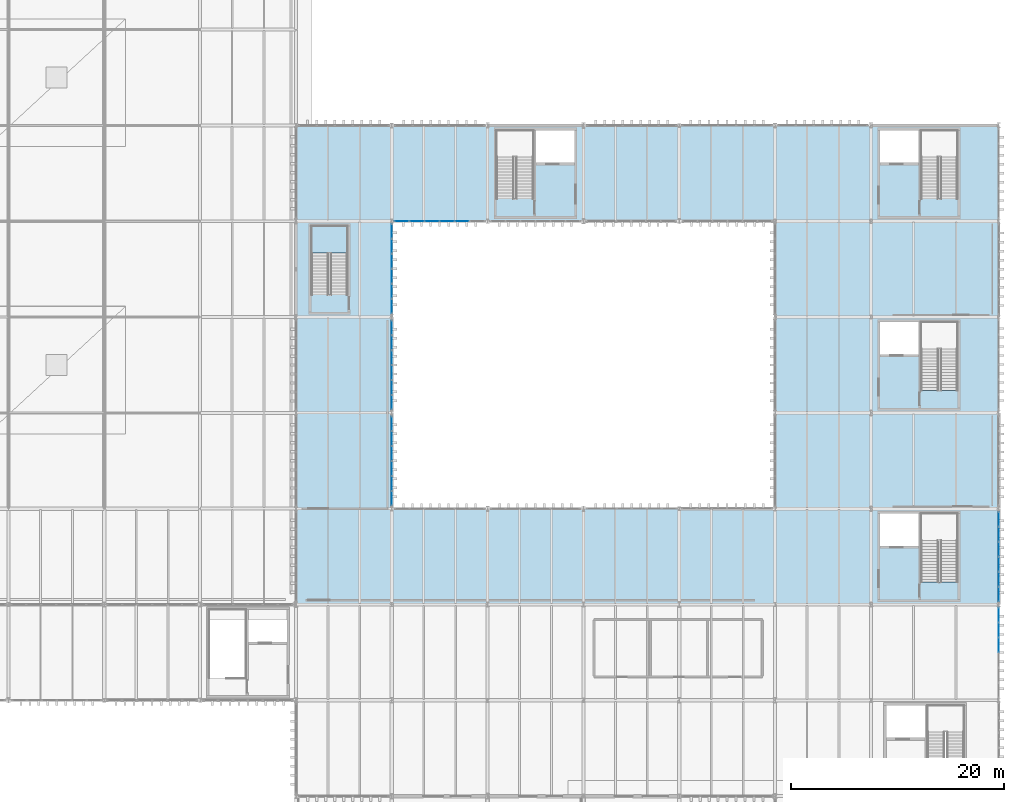
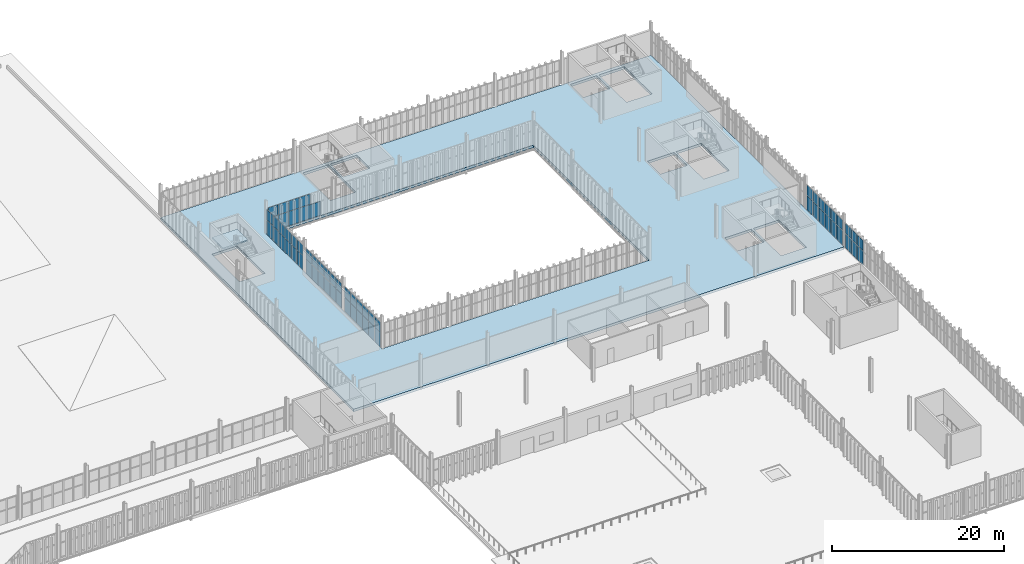
# One storey, part 168 of 196: 63 plates, 2 slabs, 7 elements without a shape of their own.
"""IFC4 building model written with IfcOpenShell, lengths in metres."""

from ifc_helpers import new_model, si_unit, direction, frame, origin, origin_2d, place, context, subcontext, project, spatial, polyline, rectangle, outline, extrude, material, layer, layer_set, type_object, element, aggregate, save


model = new_model("IFC4")

# Units and contexts
model_context = context("Model", 3, precision=1e-05, world=origin(), true_north=direction((0.0, 1.0)))
body_context = subcontext(model_context, "Body", "Model", "MODEL_VIEW")
ifc_project = project(units=[si_unit("LENGTHUNIT", "METRE"), si_unit("AREAUNIT", "SQUARE_METRE"), si_unit("VOLUMEUNIT", "CUBIC_METRE"), si_unit("PLANEANGLEUNIT", "RADIAN"), si_unit("MASSUNIT", "GRAM", prefix="KILO")], contexts=[model_context])

# Site, building, storey
site_placement = place(None, origin())
site = spatial("IfcSite", under=ifc_project, at=site_placement, CompositionType="ELEMENT")
building_placement = place(site_placement, origin())
building = spatial("IfcBuilding", under=site, at=building_placement, Name="Barlavento Convention Centre", CompositionType="ELEMENT")
storey_placement = place(building_placement, frame((0.0, 0.0, 18.0)))
storey = spatial("IfcBuildingStorey", under=building, at=storey_placement, Name="L03", CompositionType="ELEMENT", Elevation=18.0)

# Curtain wall, plates
ifc_material_1 = material(Name="Powder-coated aluminium and Low-E glass", Category="aluminium")
ifc_layer_1 = layer(ifc_material_1, 0.179931640625)
ifc_layer_set_1 = layer_set([ifc_layer_1], Name="ARC-CW-CONF-L03")
curtain_wall_type_1 = type_object("IfcCurtainWallType", Name="ARC-CW-CONF-L03", PredefinedType="NOTDEFINED", material=ifc_layer_set_1)
curtain_wall_1_placement = place(storey_placement, origin())
curtain_wall_1 = element("IfcCurtainWall", 1, at=curtain_wall_1_placement, inside=storey, type_object=curtain_wall_type_1, Name="L03 unitised curtain wall CW08", PredefinedType="NOTDEFINED")
ifc_material_2 = material(Name="Double-silver Low-E insulated glass", Category="glass")
ifc_layer_2 = layer(ifc_material_2, 0.028076171875)
ifc_layer_set_2 = layer_set([ifc_layer_2], Name="ARC-CWP-GLZ28")
plate_type = type_object("IfcPlateType", Name="ARC-CWP-GLZ28", PredefinedType="CURTAIN_PANEL", material=ifc_layer_set_2)
plate_1_placement = place(storey_placement, frame((192.0, 50.194091796875, 0.06005859375), z_axis=(0.0, 0.0, 1.0), x_axis=(0.0, 1.0, 0.0)))
plate_1 = element("IfcPlate", 2, at=plate_1_placement, type_object=plate_type, Name="CW08 panel 4.1", PredefinedType="CURTAIN_PANEL", context=body_context, shape_type="SweptSolid", body=[
    extrude(rectangle(XDim=1.3583984375, YDim=0.028076171875, at=origin_2d()), origin(), (0.0, 0.0, 1.0), 2.010009765625),
])
plate_2_placement = place(storey_placement, frame((192.0, 50.194091796875, 2.130126953125), z_axis=(0.0, 0.0, 1.0), x_axis=(0.0, 1.0, 0.0)))
plate_2 = element("IfcPlate", 3, at=plate_2_placement, type_object=plate_type, Name="CW08 panel 4.2", PredefinedType="CURTAIN_PANEL", context=body_context, shape_type="SweptSolid", body=[
    extrude(rectangle(XDim=1.3583984375, YDim=0.028076171875, at=origin_2d()), origin(), (0.0, 0.0, 1.0), 1.4599609375),
])
plate_3_placement = place(storey_placement, frame((192.0, 51.612548828125, 0.06005859375), z_axis=(0.0, 0.0, 1.0), x_axis=(0.0, 1.0, 0.0)))
plate_3 = element("IfcPlate", 4, at=plate_3_placement, type_object=plate_type, Name="CW08 panel 5.1", PredefinedType="CURTAIN_PANEL", context=body_context, shape_type="SweptSolid", body=[
    extrude(rectangle(XDim=1.3583984375, YDim=0.028076171875, at=origin_2d()), origin(), (0.0, 0.0, 1.0), 2.010009765625),
])
plate_4_placement = place(storey_placement, frame((192.0, 51.612548828125, 2.130126953125), z_axis=(0.0, 0.0, 1.0), x_axis=(0.0, 1.0, 0.0)))
plate_4 = element("IfcPlate", 5, at=plate_4_placement, type_object=plate_type, Name="CW08 panel 5.2", PredefinedType="CURTAIN_PANEL", context=body_context, shape_type="SweptSolid", body=[
    extrude(rectangle(XDim=1.3583984375, YDim=0.028076171875, at=origin_2d()), origin(), (0.0, 0.0, 1.0), 1.4599609375),
])
plate_5_placement = place(storey_placement, frame((192.0, 53.015869140625, 0.06005859375), z_axis=(0.0, 0.0, 1.0), x_axis=(0.0, 1.0, 0.0)))
plate_5 = element("IfcPlate", 6, at=plate_5_placement, type_object=plate_type, Name="CW08 panel 6.1", PredefinedType="CURTAIN_PANEL", context=body_context, shape_type="SweptSolid", body=[
    extrude(rectangle(XDim=1.328369140625, YDim=0.028076171875, at=origin_2d()), origin(), (0.0, 0.0, 1.0), 2.010009765625),
])
plate_6_placement = place(storey_placement, frame((192.0, 53.015869140625, 2.130126953125), z_axis=(0.0, 0.0, 1.0), x_axis=(0.0, 1.0, 0.0)))
plate_6 = element("IfcPlate", 7, at=plate_6_placement, type_object=plate_type, Name="CW08 panel 6.2", PredefinedType="CURTAIN_PANEL", context=body_context, shape_type="SweptSolid", body=[
    extrude(rectangle(XDim=1.328369140625, YDim=0.028076171875, at=origin_2d()), origin(), (0.0, 0.0, 1.0), 1.4599609375),
])
aggregate(curtain_wall_1, [plate_1, plate_2, plate_3, plate_4, plate_5, plate_6])

curtain_wall_2_placement = place(storey_placement, origin())
curtain_wall_2 = element("IfcCurtainWall", 8, at=curtain_wall_2_placement, inside=storey, type_object=curtain_wall_type_1, Name="L03 unitised curtain wall CW08", PredefinedType="NOTDEFINED")
plate_7_placement = place(storey_placement, frame((192.0, 54.9794921875, 0.06005859375), z_axis=(0.0, 0.0, 1.0), x_axis=(0.0, 1.0, 0.0)))
plate_7 = element("IfcPlate", 9, at=plate_7_placement, type_object=plate_type, Name="CW08 panel 1.1", PredefinedType="CURTAIN_PANEL", context=body_context, shape_type="SweptSolid", body=[
    extrude(rectangle(XDim=1.319091796875, YDim=0.028076171875, at=origin_2d()), origin(), (0.0, 0.0, 1.0), 2.010009765625),
])
plate_8_placement = place(storey_placement, frame((192.0, 54.9794921875, 2.130126953125), z_axis=(0.0, 0.0, 1.0), x_axis=(0.0, 1.0, 0.0)))
plate_8 = element("IfcPlate", 10, at=plate_8_placement, type_object=plate_type, Name="CW08 panel 1.2", PredefinedType="CURTAIN_PANEL", context=body_context, shape_type="SweptSolid", body=[
    extrude(rectangle(XDim=1.319091796875, YDim=0.028076171875, at=origin_2d()), origin(), (0.0, 0.0, 1.0), 1.4599609375),
])
plate_9_placement = place(storey_placement, frame((192.0, 56.373779296875, 0.06005859375), z_axis=(0.0, 0.0, 1.0), x_axis=(0.0, 1.0, 0.0)))
plate_9 = element("IfcPlate", 11, at=plate_9_placement, type_object=plate_type, Name="CW08 panel 2.1", PredefinedType="CURTAIN_PANEL", context=body_context, shape_type="SweptSolid", body=[
    extrude(rectangle(XDim=1.34912109375, YDim=0.028076171875, at=origin_2d()), origin(), (0.0, 0.0, 1.0), 2.010009765625),
])
plate_10_placement = place(storey_placement, frame((192.0, 56.373779296875, 2.130126953125), z_axis=(0.0, 0.0, 1.0), x_axis=(0.0, 1.0, 0.0)))
plate_10 = element("IfcPlate", 12, at=plate_10_placement, type_object=plate_type, Name="CW08 panel 2.2", PredefinedType="CURTAIN_PANEL", context=body_context, shape_type="SweptSolid", body=[
    extrude(rectangle(XDim=1.34912109375, YDim=0.028076171875, at=origin_2d()), origin(), (0.0, 0.0, 1.0), 1.4599609375),
])
plate_11_placement = place(storey_placement, frame((192.0, 57.782958984375, 0.06005859375), z_axis=(0.0, 0.0, 1.0), x_axis=(0.0, 1.0, 0.0)))
plate_11 = element("IfcPlate", 13, at=plate_11_placement, type_object=plate_type, Name="CW08 panel 3.1", PredefinedType="CURTAIN_PANEL", context=body_context, shape_type="SweptSolid", body=[
    extrude(rectangle(XDim=1.34912109375, YDim=0.028076171875, at=origin_2d()), origin(), (0.0, 0.0, 1.0), 2.010009765625),
])
plate_12_placement = place(storey_placement, frame((192.0, 57.782958984375, 2.130126953125), z_axis=(0.0, 0.0, 1.0), x_axis=(0.0, 1.0, 0.0)))
plate_12 = element("IfcPlate", 14, at=plate_12_placement, type_object=plate_type, Name="CW08 panel 3.2", PredefinedType="CURTAIN_PANEL", context=body_context, shape_type="SweptSolid", body=[
    extrude(rectangle(XDim=1.34912109375, YDim=0.028076171875, at=origin_2d()), origin(), (0.0, 0.0, 1.0), 1.4599609375),
])
plate_13_placement = place(storey_placement, frame((192.0, 59.192138671875, 0.06005859375), z_axis=(0.0, 0.0, 1.0), x_axis=(0.0, 1.0, 0.0)))
plate_13 = element("IfcPlate", 15, at=plate_13_placement, type_object=plate_type, Name="CW08 panel 4.1", PredefinedType="CURTAIN_PANEL", context=body_context, shape_type="SweptSolid", body=[
    extrude(rectangle(XDim=1.34912109375, YDim=0.028076171875, at=origin_2d()), origin(), (0.0, 0.0, 1.0), 2.010009765625),
])
plate_14_placement = place(storey_placement, frame((192.0, 59.192138671875, 2.130126953125), z_axis=(0.0, 0.0, 1.0), x_axis=(0.0, 1.0, 0.0)))
plate_14 = element("IfcPlate", 16, at=plate_14_placement, type_object=plate_type, Name="CW08 panel 4.2", PredefinedType="CURTAIN_PANEL", context=body_context, shape_type="SweptSolid", body=[
    extrude(rectangle(XDim=1.34912109375, YDim=0.028076171875, at=origin_2d()), origin(), (0.0, 0.0, 1.0), 1.4599609375),
])
plate_15_placement = place(storey_placement, frame((192.0, 60.601318359375, 0.06005859375), z_axis=(0.0, 0.0, 1.0), x_axis=(0.0, 1.0, 0.0)))
plate_15 = element("IfcPlate", 17, at=plate_15_placement, type_object=plate_type, Name="CW08 panel 5.1", PredefinedType="CURTAIN_PANEL", context=body_context, shape_type="SweptSolid", body=[
    extrude(rectangle(XDim=1.34912109375, YDim=0.028076171875, at=origin_2d()), origin(), (0.0, 0.0, 1.0), 2.010009765625),
])
plate_16_placement = place(storey_placement, frame((192.0, 60.601318359375, 2.130126953125), z_axis=(0.0, 0.0, 1.0), x_axis=(0.0, 1.0, 0.0)))
plate_16 = element("IfcPlate", 18, at=plate_16_placement, type_object=plate_type, Name="CW08 panel 5.2", PredefinedType="CURTAIN_PANEL", context=body_context, shape_type="SweptSolid", body=[
    extrude(rectangle(XDim=1.34912109375, YDim=0.028076171875, at=origin_2d()), origin(), (0.0, 0.0, 1.0), 1.4599609375),
])
plate_17_placement = place(storey_placement, frame((192.0, 61.995361328125, 0.06005859375), z_axis=(0.0, 0.0, 1.0), x_axis=(0.0, 1.0, 0.0)))
plate_17 = element("IfcPlate", 19, at=plate_17_placement, type_object=plate_type, Name="CW08 panel 6.1", PredefinedType="CURTAIN_PANEL", context=body_context, shape_type="SweptSolid", body=[
    extrude(rectangle(XDim=1.319091796875, YDim=0.028076171875, at=origin_2d()), origin(), (0.0, 0.0, 1.0), 2.010009765625),
])
plate_18_placement = place(storey_placement, frame((192.0, 61.995361328125, 2.130126953125), z_axis=(0.0, 0.0, 1.0), x_axis=(0.0, 1.0, 0.0)))
plate_18 = element("IfcPlate", 20, at=plate_18_placement, type_object=plate_type, Name="CW08 panel 6.2", PredefinedType="CURTAIN_PANEL", context=body_context, shape_type="SweptSolid", body=[
    extrude(rectangle(XDim=1.319091796875, YDim=0.028076171875, at=origin_2d()), origin(), (0.0, 0.0, 1.0), 1.4599609375),
])
aggregate(curtain_wall_2, [plate_7, plate_8, plate_9, plate_10, plate_11, plate_12, plate_13, plate_14, plate_15, plate_16, plate_17, plate_18])

ifc_layer_3 = layer(ifc_material_1, 0.179931640625)
ifc_layer_set_3 = layer_set([ifc_layer_3], Name="ARC-CW-PATIO-B")
curtain_wall_type_2 = type_object("IfcCurtainWallType", Name="ARC-CW-PATIO-B", PredefinedType="NOTDEFINED", material=ifc_layer_set_3)
curtain_wall_3_placement = place(storey_placement, origin())
curtain_wall_3 = element("IfcCurtainWall", 21, at=curtain_wall_3_placement, inside=storey, type_object=curtain_wall_type_2, Name="L03 unitised curtain wall CW12", PredefinedType="NOTDEFINED")
plate_19_placement = place(storey_placement, frame((135.9541015625, 90.0, 0.06005859375), z_axis=(0.0, 0.0, 1.0), x_axis=(1.0, 0.0, 0.0)))
plate_19 = element("IfcPlate", 22, at=plate_19_placement, type_object=plate_type, Name="CW12 panel 1.1", PredefinedType="CURTAIN_PANEL", context=body_context, shape_type="SweptSolid", body=[
    extrude(rectangle(XDim=1.328369140625, YDim=0.028076171875, at=origin_2d()), origin(), (0.0, 0.0, 1.0), 2.010009765625),
])
plate_20_placement = place(storey_placement, frame((135.9541015625, 90.0, 2.130126953125), z_axis=(0.0, 0.0, 1.0), x_axis=(1.0, 0.0, 0.0)))
plate_20 = element("IfcPlate", 23, at=plate_20_placement, type_object=plate_type, Name="CW12 panel 1.2", PredefinedType="CURTAIN_PANEL", context=body_context, shape_type="SweptSolid", body=[
    extrude(rectangle(XDim=1.328369140625, YDim=0.028076171875, at=origin_2d()), origin(), (0.0, 0.0, 1.0), 1.4599609375),
])
plate_21_placement = place(storey_placement, frame((137.357421875, 90.0, 0.06005859375), z_axis=(0.0, 0.0, 1.0), x_axis=(1.0, 0.0, 0.0)))
plate_21 = element("IfcPlate", 24, at=plate_21_placement, type_object=plate_type, Name="CW12 panel 2.1", PredefinedType="CURTAIN_PANEL", context=body_context, shape_type="SweptSolid", body=[
    extrude(rectangle(XDim=1.3583984375, YDim=0.028076171875, at=origin_2d()), origin(), (0.0, 0.0, 1.0), 2.010009765625),
])
plate_22_placement = place(storey_placement, frame((137.357421875, 90.0, 2.130126953125), z_axis=(0.0, 0.0, 1.0), x_axis=(1.0, 0.0, 0.0)))
plate_22 = element("IfcPlate", 25, at=plate_22_placement, type_object=plate_type, Name="CW12 panel 2.2", PredefinedType="CURTAIN_PANEL", context=body_context, shape_type="SweptSolid", body=[
    extrude(rectangle(XDim=1.3583984375, YDim=0.028076171875, at=origin_2d()), origin(), (0.0, 0.0, 1.0), 1.4599609375),
])
plate_23_placement = place(storey_placement, frame((138.77587890625, 90.0, 0.06005859375), z_axis=(0.0, 0.0, 1.0), x_axis=(1.0, 0.0, 0.0)))
plate_23 = element("IfcPlate", 26, at=plate_23_placement, type_object=plate_type, Name="CW12 panel 3.1", PredefinedType="CURTAIN_PANEL", context=body_context, shape_type="SweptSolid", body=[
    extrude(rectangle(XDim=1.3583984375, YDim=0.028076171875, at=origin_2d()), origin(), (0.0, 0.0, 1.0), 2.010009765625),
])
plate_24_placement = place(storey_placement, frame((138.77587890625, 90.0, 2.130126953125), z_axis=(0.0, 0.0, 1.0), x_axis=(1.0, 0.0, 0.0)))
plate_24 = element("IfcPlate", 27, at=plate_24_placement, type_object=plate_type, Name="CW12 panel 3.2", PredefinedType="CURTAIN_PANEL", context=body_context, shape_type="SweptSolid", body=[
    extrude(rectangle(XDim=1.3583984375, YDim=0.028076171875, at=origin_2d()), origin(), (0.0, 0.0, 1.0), 1.4599609375),
])
plate_25_placement = place(storey_placement, frame((140.194091796875, 90.0, 0.06005859375), z_axis=(0.0, 0.0, 1.0), x_axis=(1.0, 0.0, 0.0)))
plate_25 = element("IfcPlate", 28, at=plate_25_placement, type_object=plate_type, Name="CW12 panel 4.1", PredefinedType="CURTAIN_PANEL", context=body_context, shape_type="SweptSolid", body=[
    extrude(rectangle(XDim=1.3583984375, YDim=0.028076171875, at=origin_2d()), origin(), (0.0, 0.0, 1.0), 2.010009765625),
])
plate_26_placement = place(storey_placement, frame((140.194091796875, 90.0, 2.130126953125), z_axis=(0.0, 0.0, 1.0), x_axis=(1.0, 0.0, 0.0)))
plate_26 = element("IfcPlate", 29, at=plate_26_placement, type_object=plate_type, Name="CW12 panel 4.2", PredefinedType="CURTAIN_PANEL", context=body_context, shape_type="SweptSolid", body=[
    extrude(rectangle(XDim=1.3583984375, YDim=0.028076171875, at=origin_2d()), origin(), (0.0, 0.0, 1.0), 1.4599609375),
])
plate_27_placement = place(storey_placement, frame((141.612548828125, 90.0, 0.06005859375), z_axis=(0.0, 0.0, 1.0), x_axis=(1.0, 0.0, 0.0)))
plate_27 = element("IfcPlate", 30, at=plate_27_placement, type_object=plate_type, Name="CW12 panel 5.1", PredefinedType="CURTAIN_PANEL", context=body_context, shape_type="SweptSolid", body=[
    extrude(rectangle(XDim=1.3583984375, YDim=0.028076171875, at=origin_2d()), origin(), (0.0, 0.0, 1.0), 2.010009765625),
])
aggregate(curtain_wall_3, [plate_19, plate_20, plate_21, plate_22, plate_23, plate_24, plate_25, plate_26, plate_27])

curtain_wall_4_placement = place(storey_placement, origin())
curtain_wall_4 = element("IfcCurtainWall", 31, at=curtain_wall_4_placement, inside=storey, type_object=curtain_wall_type_2, Name="L03 unitised curtain wall CW12", PredefinedType="NOTDEFINED")
plate_28_placement = place(storey_placement, frame((135.0, 63.9794921875, 0.06005859375), z_axis=(0.0, 0.0, 1.0), x_axis=(0.0, 1.0, 0.0)))
plate_28 = element("IfcPlate", 32, at=plate_28_placement, type_object=plate_type, Name="CW12 panel 1.1", PredefinedType="CURTAIN_PANEL", context=body_context, shape_type="SweptSolid", body=[
    extrude(rectangle(XDim=1.319091796875, YDim=0.028076171875, at=origin_2d()), origin(), (0.0, 0.0, 1.0), 2.010009765625),
])
plate_29_placement = place(storey_placement, frame((135.0, 63.9794921875, 2.130126953125), z_axis=(0.0, 0.0, 1.0), x_axis=(0.0, 1.0, 0.0)))
plate_29 = element("IfcPlate", 33, at=plate_29_placement, type_object=plate_type, Name="CW12 panel 1.2", PredefinedType="CURTAIN_PANEL", context=body_context, shape_type="SweptSolid", body=[
    extrude(rectangle(XDim=1.319091796875, YDim=0.028076171875, at=origin_2d()), origin(), (0.0, 0.0, 1.0), 1.4599609375),
])
plate_30_placement = place(storey_placement, frame((135.0, 65.373779296875, 0.06005859375), z_axis=(0.0, 0.0, 1.0), x_axis=(0.0, 1.0, 0.0)))
plate_30 = element("IfcPlate", 34, at=plate_30_placement, type_object=plate_type, Name="CW12 panel 2.1", PredefinedType="CURTAIN_PANEL", context=body_context, shape_type="SweptSolid", body=[
    extrude(rectangle(XDim=1.34912109375, YDim=0.028076171875, at=origin_2d()), origin(), (0.0, 0.0, 1.0), 2.010009765625),
])
plate_31_placement = place(storey_placement, frame((135.0, 65.373779296875, 2.130126953125), z_axis=(0.0, 0.0, 1.0), x_axis=(0.0, 1.0, 0.0)))
plate_31 = element("IfcPlate", 35, at=plate_31_placement, type_object=plate_type, Name="CW12 panel 2.2", PredefinedType="CURTAIN_PANEL", context=body_context, shape_type="SweptSolid", body=[
    extrude(rectangle(XDim=1.34912109375, YDim=0.028076171875, at=origin_2d()), origin(), (0.0, 0.0, 1.0), 1.4599609375),
])
plate_32_placement = place(storey_placement, frame((135.0, 66.782958984375, 0.06005859375), z_axis=(0.0, 0.0, 1.0), x_axis=(0.0, 1.0, 0.0)))
plate_32 = element("IfcPlate", 36, at=plate_32_placement, type_object=plate_type, Name="CW12 panel 3.1", PredefinedType="CURTAIN_PANEL", context=body_context, shape_type="SweptSolid", body=[
    extrude(rectangle(XDim=1.34912109375, YDim=0.028076171875, at=origin_2d()), origin(), (0.0, 0.0, 1.0), 2.010009765625),
])
plate_33_placement = place(storey_placement, frame((135.0, 66.782958984375, 2.130126953125), z_axis=(0.0, 0.0, 1.0), x_axis=(0.0, 1.0, 0.0)))
plate_33 = element("IfcPlate", 37, at=plate_33_placement, type_object=plate_type, Name="CW12 panel 3.2", PredefinedType="CURTAIN_PANEL", context=body_context, shape_type="SweptSolid", body=[
    extrude(rectangle(XDim=1.34912109375, YDim=0.028076171875, at=origin_2d()), origin(), (0.0, 0.0, 1.0), 1.4599609375),
])
plate_34_placement = place(storey_placement, frame((135.0, 68.192138671875, 0.06005859375), z_axis=(0.0, 0.0, 1.0), x_axis=(0.0, 1.0, 0.0)))
plate_34 = element("IfcPlate", 38, at=plate_34_placement, type_object=plate_type, Name="CW12 panel 4.1", PredefinedType="CURTAIN_PANEL", context=body_context, shape_type="SweptSolid", body=[
    extrude(rectangle(XDim=1.34912109375, YDim=0.028076171875, at=origin_2d()), origin(), (0.0, 0.0, 1.0), 2.010009765625),
])
plate_35_placement = place(storey_placement, frame((135.0, 68.192138671875, 2.130126953125), z_axis=(0.0, 0.0, 1.0), x_axis=(0.0, 1.0, 0.0)))
plate_35 = element("IfcPlate", 39, at=plate_35_placement, type_object=plate_type, Name="CW12 panel 4.2", PredefinedType="CURTAIN_PANEL", context=body_context, shape_type="SweptSolid", body=[
    extrude(rectangle(XDim=1.34912109375, YDim=0.028076171875, at=origin_2d()), origin(), (0.0, 0.0, 1.0), 1.4599609375),
])
plate_36_placement = place(storey_placement, frame((135.0, 69.601318359375, 0.06005859375), z_axis=(0.0, 0.0, 1.0), x_axis=(0.0, 1.0, 0.0)))
plate_36 = element("IfcPlate", 40, at=plate_36_placement, type_object=plate_type, Name="CW12 panel 5.1", PredefinedType="CURTAIN_PANEL", context=body_context, shape_type="SweptSolid", body=[
    extrude(rectangle(XDim=1.34912109375, YDim=0.028076171875, at=origin_2d()), origin(), (0.0, 0.0, 1.0), 2.010009765625),
])
plate_37_placement = place(storey_placement, frame((135.0, 69.601318359375, 2.130126953125), z_axis=(0.0, 0.0, 1.0), x_axis=(0.0, 1.0, 0.0)))
plate_37 = element("IfcPlate", 41, at=plate_37_placement, type_object=plate_type, Name="CW12 panel 5.2", PredefinedType="CURTAIN_PANEL", context=body_context, shape_type="SweptSolid", body=[
    extrude(rectangle(XDim=1.34912109375, YDim=0.028076171875, at=origin_2d()), origin(), (0.0, 0.0, 1.0), 1.4599609375),
])
plate_38_placement = place(storey_placement, frame((135.0, 70.995361328125, 0.06005859375), z_axis=(0.0, 0.0, 1.0), x_axis=(0.0, 1.0, 0.0)))
plate_38 = element("IfcPlate", 42, at=plate_38_placement, type_object=plate_type, Name="CW12 panel 6.1", PredefinedType="CURTAIN_PANEL", context=body_context, shape_type="SweptSolid", body=[
    extrude(rectangle(XDim=1.319091796875, YDim=0.028076171875, at=origin_2d()), origin(), (0.0, 0.0, 1.0), 2.010009765625),
])
plate_39_placement = place(storey_placement, frame((135.0, 70.995361328125, 2.130126953125), z_axis=(0.0, 0.0, 1.0), x_axis=(0.0, 1.0, 0.0)))
plate_39 = element("IfcPlate", 43, at=plate_39_placement, type_object=plate_type, Name="CW12 panel 6.2", PredefinedType="CURTAIN_PANEL", context=body_context, shape_type="SweptSolid", body=[
    extrude(rectangle(XDim=1.319091796875, YDim=0.028076171875, at=origin_2d()), origin(), (0.0, 0.0, 1.0), 1.4599609375),
])
aggregate(curtain_wall_4, [plate_28, plate_29, plate_30, plate_31, plate_32, plate_33, plate_34, plate_35, plate_36, plate_37, plate_38, plate_39])

curtain_wall_5_placement = place(storey_placement, origin())
curtain_wall_5 = element("IfcCurtainWall", 44, at=curtain_wall_5_placement, inside=storey, type_object=curtain_wall_type_2, Name="L03 unitised curtain wall CW12", PredefinedType="NOTDEFINED")
plate_40_placement = place(storey_placement, frame((135.0, 73.00048828125, 0.06005859375), z_axis=(0.0, 0.0, 1.0), x_axis=(0.0, 1.0, 0.0)))
plate_40 = element("IfcPlate", 45, at=plate_40_placement, type_object=plate_type, Name="CW12 panel 1.1", PredefinedType="CURTAIN_PANEL", context=body_context, shape_type="SweptSolid", body=[
    extrude(rectangle(XDim=1.310791015625, YDim=0.028076171875, at=origin_2d()), origin(), (0.0, 0.0, 1.0), 2.010009765625),
])
plate_41_placement = place(storey_placement, frame((135.0, 73.00048828125, 2.130126953125), z_axis=(0.0, 0.0, 1.0), x_axis=(0.0, 1.0, 0.0)))
plate_41 = element("IfcPlate", 46, at=plate_41_placement, type_object=plate_type, Name="CW12 panel 1.2", PredefinedType="CURTAIN_PANEL", context=body_context, shape_type="SweptSolid", body=[
    extrude(rectangle(XDim=1.310791015625, YDim=0.028076171875, at=origin_2d()), origin(), (0.0, 0.0, 1.0), 1.4599609375),
])
plate_42_placement = place(storey_placement, frame((135.0, 74.38623046875, 0.06005859375), z_axis=(0.0, 0.0, 1.0), x_axis=(0.0, 1.0, 0.0)))
plate_42 = element("IfcPlate", 47, at=plate_42_placement, type_object=plate_type, Name="CW12 panel 2.1", PredefinedType="CURTAIN_PANEL", context=body_context, shape_type="SweptSolid", body=[
    extrude(rectangle(XDim=1.3408203125, YDim=0.028076171875, at=origin_2d()), origin(), (0.0, 0.0, 1.0), 2.010009765625),
])
plate_43_placement = place(storey_placement, frame((135.0, 74.38623046875, 2.130126953125), z_axis=(0.0, 0.0, 1.0), x_axis=(0.0, 1.0, 0.0)))
plate_43 = element("IfcPlate", 48, at=plate_43_placement, type_object=plate_type, Name="CW12 panel 2.2", PredefinedType="CURTAIN_PANEL", context=body_context, shape_type="SweptSolid", body=[
    extrude(rectangle(XDim=1.3408203125, YDim=0.028076171875, at=origin_2d()), origin(), (0.0, 0.0, 1.0), 1.4599609375),
])
plate_44_placement = place(storey_placement, frame((135.0, 75.787109375, 0.06005859375), z_axis=(0.0, 0.0, 1.0), x_axis=(0.0, 1.0, 0.0)))
plate_44 = element("IfcPlate", 49, at=plate_44_placement, type_object=plate_type, Name="CW12 panel 3.1", PredefinedType="CURTAIN_PANEL", context=body_context, shape_type="SweptSolid", body=[
    extrude(rectangle(XDim=1.3408203125, YDim=0.028076171875, at=origin_2d()), origin(), (0.0, 0.0, 1.0), 2.010009765625),
])
plate_45_placement = place(storey_placement, frame((135.0, 75.787109375, 2.130126953125), z_axis=(0.0, 0.0, 1.0), x_axis=(0.0, 1.0, 0.0)))
plate_45 = element("IfcPlate", 50, at=plate_45_placement, type_object=plate_type, Name="CW12 panel 3.2", PredefinedType="CURTAIN_PANEL", context=body_context, shape_type="SweptSolid", body=[
    extrude(rectangle(XDim=1.3408203125, YDim=0.028076171875, at=origin_2d()), origin(), (0.0, 0.0, 1.0), 1.4599609375),
])
plate_46_placement = place(storey_placement, frame((135.0, 77.18798828125, 0.06005859375), z_axis=(0.0, 0.0, 1.0), x_axis=(0.0, 1.0, 0.0)))
plate_46 = element("IfcPlate", 51, at=plate_46_placement, type_object=plate_type, Name="CW12 panel 4.1", PredefinedType="CURTAIN_PANEL", context=body_context, shape_type="SweptSolid", body=[
    extrude(rectangle(XDim=1.3408203125, YDim=0.028076171875, at=origin_2d()), origin(), (0.0, 0.0, 1.0), 2.010009765625),
])
plate_47_placement = place(storey_placement, frame((135.0, 77.18798828125, 2.130126953125), z_axis=(0.0, 0.0, 1.0), x_axis=(0.0, 1.0, 0.0)))
plate_47 = element("IfcPlate", 52, at=plate_47_placement, type_object=plate_type, Name="CW12 panel 4.2", PredefinedType="CURTAIN_PANEL", context=body_context, shape_type="SweptSolid", body=[
    extrude(rectangle(XDim=1.3408203125, YDim=0.028076171875, at=origin_2d()), origin(), (0.0, 0.0, 1.0), 1.4599609375),
])
plate_48_placement = place(storey_placement, frame((135.0, 78.5888671875, 0.06005859375), z_axis=(0.0, 0.0, 1.0), x_axis=(0.0, 1.0, 0.0)))
plate_48 = element("IfcPlate", 53, at=plate_48_placement, type_object=plate_type, Name="CW12 panel 5.1", PredefinedType="CURTAIN_PANEL", context=body_context, shape_type="SweptSolid", body=[
    extrude(rectangle(XDim=1.3408203125, YDim=0.028076171875, at=origin_2d()), origin(), (0.0, 0.0, 1.0), 2.010009765625),
])
plate_49_placement = place(storey_placement, frame((135.0, 78.5888671875, 2.130126953125), z_axis=(0.0, 0.0, 1.0), x_axis=(0.0, 1.0, 0.0)))
plate_49 = element("IfcPlate", 54, at=plate_49_placement, type_object=plate_type, Name="CW12 panel 5.2", PredefinedType="CURTAIN_PANEL", context=body_context, shape_type="SweptSolid", body=[
    extrude(rectangle(XDim=1.3408203125, YDim=0.028076171875, at=origin_2d()), origin(), (0.0, 0.0, 1.0), 1.4599609375),
])
plate_50_placement = place(storey_placement, frame((135.0, 79.974609375, 0.06005859375), z_axis=(0.0, 0.0, 1.0), x_axis=(0.0, 1.0, 0.0)))
plate_50 = element("IfcPlate", 55, at=plate_50_placement, type_object=plate_type, Name="CW12 panel 6.1", PredefinedType="CURTAIN_PANEL", context=body_context, shape_type="SweptSolid", body=[
    extrude(rectangle(XDim=1.310791015625, YDim=0.028076171875, at=origin_2d()), origin(), (0.0, 0.0, 1.0), 2.010009765625),
])
plate_51_placement = place(storey_placement, frame((135.0, 79.974609375, 2.130126953125), z_axis=(0.0, 0.0, 1.0), x_axis=(0.0, 1.0, 0.0)))
plate_51 = element("IfcPlate", 56, at=plate_51_placement, type_object=plate_type, Name="CW12 panel 6.2", PredefinedType="CURTAIN_PANEL", context=body_context, shape_type="SweptSolid", body=[
    extrude(rectangle(XDim=1.310791015625, YDim=0.028076171875, at=origin_2d()), origin(), (0.0, 0.0, 1.0), 1.4599609375),
])
aggregate(curtain_wall_5, [plate_40, plate_41, plate_42, plate_43, plate_44, plate_45, plate_46, plate_47, plate_48, plate_49, plate_50, plate_51])

curtain_wall_6_placement = place(storey_placement, origin())
curtain_wall_6 = element("IfcCurtainWall", 57, at=curtain_wall_6_placement, inside=storey, type_object=curtain_wall_type_2, Name="L03 unitised curtain wall CW12", PredefinedType="NOTDEFINED")
plate_52_placement = place(storey_placement, frame((135.0, 82.030029296875, 0.06005859375), z_axis=(0.0, 0.0, 1.0), x_axis=(0.0, 1.0, 0.0)))
plate_52 = element("IfcPlate", 58, at=plate_52_placement, type_object=plate_type, Name="CW12 panel 1.1", PredefinedType="CURTAIN_PANEL", context=body_context, shape_type="SweptSolid", body=[
    extrude(rectangle(XDim=1.320068359375, YDim=0.028076171875, at=origin_2d()), origin(), (0.0, 0.0, 1.0), 2.010009765625),
])
plate_53_placement = place(storey_placement, frame((135.0, 82.030029296875, 2.130126953125), z_axis=(0.0, 0.0, 1.0), x_axis=(0.0, 1.0, 0.0)))
plate_53 = element("IfcPlate", 59, at=plate_53_placement, type_object=plate_type, Name="CW12 panel 1.2", PredefinedType="CURTAIN_PANEL", context=body_context, shape_type="SweptSolid", body=[
    extrude(rectangle(XDim=1.320068359375, YDim=0.028076171875, at=origin_2d()), origin(), (0.0, 0.0, 1.0), 1.4599609375),
])
plate_54_placement = place(storey_placement, frame((135.0, 83.425048828125, 0.06005859375), z_axis=(0.0, 0.0, 1.0), x_axis=(0.0, 1.0, 0.0)))
plate_54 = element("IfcPlate", 60, at=plate_54_placement, type_object=plate_type, Name="CW12 panel 2.1", PredefinedType="CURTAIN_PANEL", context=body_context, shape_type="SweptSolid", body=[
    extrude(rectangle(XDim=1.35009765625, YDim=0.028076171875, at=origin_2d()), origin(), (0.0, 0.0, 1.0), 2.010009765625),
])
plate_55_placement = place(storey_placement, frame((135.0, 83.425048828125, 2.130126953125), z_axis=(0.0, 0.0, 1.0), x_axis=(0.0, 1.0, 0.0)))
plate_55 = element("IfcPlate", 61, at=plate_55_placement, type_object=plate_type, Name="CW12 panel 2.2", PredefinedType="CURTAIN_PANEL", context=body_context, shape_type="SweptSolid", body=[
    extrude(rectangle(XDim=1.35009765625, YDim=0.028076171875, at=origin_2d()), origin(), (0.0, 0.0, 1.0), 1.4599609375),
])
plate_56_placement = place(storey_placement, frame((135.0, 84.8349609375, 0.06005859375), z_axis=(0.0, 0.0, 1.0), x_axis=(0.0, 1.0, 0.0)))
plate_56 = element("IfcPlate", 62, at=plate_56_placement, type_object=plate_type, Name="CW12 panel 3.1", PredefinedType="CURTAIN_PANEL", context=body_context, shape_type="SweptSolid", body=[
    extrude(rectangle(XDim=1.35009765625, YDim=0.028076171875, at=origin_2d()), origin(), (0.0, 0.0, 1.0), 2.010009765625),
])
plate_57_placement = place(storey_placement, frame((135.0, 84.8349609375, 2.130126953125), z_axis=(0.0, 0.0, 1.0), x_axis=(0.0, 1.0, 0.0)))
plate_57 = element("IfcPlate", 63, at=plate_57_placement, type_object=plate_type, Name="CW12 panel 3.2", PredefinedType="CURTAIN_PANEL", context=body_context, shape_type="SweptSolid", body=[
    extrude(rectangle(XDim=1.35009765625, YDim=0.028076171875, at=origin_2d()), origin(), (0.0, 0.0, 1.0), 1.4599609375),
])
plate_58_placement = place(storey_placement, frame((135.0, 86.2451171875, 0.06005859375), z_axis=(0.0, 0.0, 1.0), x_axis=(0.0, 1.0, 0.0)))
plate_58 = element("IfcPlate", 64, at=plate_58_placement, type_object=plate_type, Name="CW12 panel 4.1", PredefinedType="CURTAIN_PANEL", context=body_context, shape_type="SweptSolid", body=[
    extrude(rectangle(XDim=1.35009765625, YDim=0.028076171875, at=origin_2d()), origin(), (0.0, 0.0, 1.0), 2.010009765625),
])
plate_59_placement = place(storey_placement, frame((135.0, 86.2451171875, 2.130126953125), z_axis=(0.0, 0.0, 1.0), x_axis=(0.0, 1.0, 0.0)))
plate_59 = element("IfcPlate", 65, at=plate_59_placement, type_object=plate_type, Name="CW12 panel 4.2", PredefinedType="CURTAIN_PANEL", context=body_context, shape_type="SweptSolid", body=[
    extrude(rectangle(XDim=1.35009765625, YDim=0.028076171875, at=origin_2d()), origin(), (0.0, 0.0, 1.0), 1.4599609375),
])
plate_60_placement = place(storey_placement, frame((135.0, 87.655029296875, 0.06005859375), z_axis=(0.0, 0.0, 1.0), x_axis=(0.0, 1.0, 0.0)))
plate_60 = element("IfcPlate", 66, at=plate_60_placement, type_object=plate_type, Name="CW12 panel 5.1", PredefinedType="CURTAIN_PANEL", context=body_context, shape_type="SweptSolid", body=[
    extrude(rectangle(XDim=1.35009765625, YDim=0.028076171875, at=origin_2d()), origin(), (0.0, 0.0, 1.0), 2.010009765625),
])
plate_61_placement = place(storey_placement, frame((135.0, 87.655029296875, 2.130126953125), z_axis=(0.0, 0.0, 1.0), x_axis=(0.0, 1.0, 0.0)))
plate_61 = element("IfcPlate", 67, at=plate_61_placement, type_object=plate_type, Name="CW12 panel 5.2", PredefinedType="CURTAIN_PANEL", context=body_context, shape_type="SweptSolid", body=[
    extrude(rectangle(XDim=1.35009765625, YDim=0.028076171875, at=origin_2d()), origin(), (0.0, 0.0, 1.0), 1.4599609375),
])
plate_62_placement = place(storey_placement, frame((135.0, 89.050048828125, 0.06005859375), z_axis=(0.0, 0.0, 1.0), x_axis=(0.0, 1.0, 0.0)))
plate_62 = element("IfcPlate", 68, at=plate_62_placement, type_object=plate_type, Name="CW12 panel 6.1", PredefinedType="CURTAIN_PANEL", context=body_context, shape_type="SweptSolid", body=[
    extrude(rectangle(XDim=1.320068359375, YDim=0.028076171875, at=origin_2d()), origin(), (0.0, 0.0, 1.0), 2.010009765625),
])
plate_63_placement = place(storey_placement, frame((135.0, 89.050048828125, 2.130126953125), z_axis=(0.0, 0.0, 1.0), x_axis=(0.0, 1.0, 0.0)))
plate_63 = element("IfcPlate", 69, at=plate_63_placement, type_object=plate_type, Name="CW12 panel 6.2", PredefinedType="CURTAIN_PANEL", context=body_context, shape_type="SweptSolid", body=[
    extrude(rectangle(XDim=1.320068359375, YDim=0.028076171875, at=origin_2d()), origin(), (0.0, 0.0, 1.0), 1.4599609375),
])
aggregate(curtain_wall_6, [plate_52, plate_53, plate_54, plate_55, plate_56, plate_57, plate_58, plate_59, plate_60, plate_61, plate_62, plate_63])

# Stair, slab
ifc_material_3 = material(Name="Concrete C40/50", Category="concrete")
stair_type = type_object("IfcStairType", Name="ARC-STR-DOG-1600", PredefinedType="HALF_TURN_STAIR", material=ifc_material_3)
stair_placement = place(storey_placement, origin())
stair = element("IfcStair", 70, at=stair_placement, inside=storey, type_object=stair_type, Name="L03 ST12", PredefinedType="HALF_TURN_STAIR")
ifc_layer_4 = layer(ifc_material_3, 0.199951171875)
ifc_layer_set_4 = layer_set([ifc_layer_4], Name="ARC-SLB-LND-200")
slab_type_1 = type_object("IfcSlabType", Name="ARC-SLB-LND-200", PredefinedType="LANDING", material=ifc_layer_set_4)
slab_1_placement = place(storey_placement, frame((0.0, 0.0, 2.199951171875)))
slab_1 = element("IfcSlab", 71, at=slab_1_placement, type_object=slab_type_1, Name="ST12 landing 1", PredefinedType="LANDING", context=body_context, shape_type="SweptSolid", body=[
    extrude(outline(polyline([(130.85009765625, 86.989990234375), (130.85009765625, 89.530029296875), (127.449951171875, 89.530029296875), (127.449951171875, 86.989990234375), (130.85009765625, 86.989990234375)])), origin(), (0.0, 0.0, 1.0), 0.199951171875),
])
aggregate(stair, [slab_1])

# Slab
ifc_layer_5 = layer(ifc_material_3, 0.360107421875)
ifc_layer_set_5 = layer_set([ifc_layer_5], Name="STR-SLB-FLR-360")
slab_type_2 = type_object("IfcSlabType", Name="STR-SLB-FLR-360", PredefinedType="FLOOR", material=ifc_layer_set_5)
slab_2_placement = place(storey_placement, frame((0.0, 0.0, -0.360107421875)))
element("IfcSlab", 72, at=slab_2_placement, inside=storey, type_object=slab_type_2, Name="L03 structural slab FS-303", PredefinedType="FLOOR", context=body_context, shape_type="SweptSolid", body=[
    extrude(outline(polyline([(126.0, 54.0), (192.0, 54.0), (192.0, 99.0), (126.0, 99.0), (126.0, 54.0)]), holes=[polyline([(135.0, 63.0), (171.0, 63.0), (171.0, 90.0), (135.0, 90.0), (135.0, 63.0)]), polyline([(188.14990234375, 56.114990234375), (188.14990234375, 62.530029296875), (184.7099609375, 62.530029296875), (184.7099609375, 56.114990234375), (188.14990234375, 56.114990234375)]), polyline([(180.85009765625, 59.4951171875), (184.4599609375, 59.4951171875), (184.4599609375, 62.530029296875), (180.85009765625, 62.530029296875), (180.85009765625, 59.4951171875)]), polyline([(188.14990234375, 74.114990234375), (188.14990234375, 80.530029296875), (184.7099609375, 80.530029296875), (184.7099609375, 74.114990234375), (188.14990234375, 74.114990234375)]), polyline([(180.85009765625, 77.4951171875), (184.4599609375, 77.4951171875), (184.4599609375, 80.530029296875), (180.85009765625, 80.530029296875), (180.85009765625, 77.4951171875)]), polyline([(188.14990234375, 92.114990234375), (188.14990234375, 98.530029296875), (184.7099609375, 98.530029296875), (184.7099609375, 92.114990234375), (188.14990234375, 92.114990234375)]), polyline([(180.85009765625, 95.4951171875), (184.4599609375, 95.4951171875), (184.4599609375, 98.530029296875), (180.85009765625, 98.530029296875), (180.85009765625, 95.4951171875)]), polyline([(148.2900390625, 92.114990234375), (148.2900390625, 98.530029296875), (144.85009765625, 98.530029296875), (144.85009765625, 92.114990234375), (148.2900390625, 92.114990234375)]), polyline([(148.5400390625, 95.4951171875), (152.14990234375, 95.4951171875), (152.14990234375, 98.530029296875), (148.5400390625, 98.530029296875), (148.5400390625, 95.4951171875)]), polyline([(130.85009765625, 83.094970703125), (130.85009765625, 89.530029296875), (127.449951171875, 89.530029296875), (127.449951171875, 83.094970703125), (130.85009765625, 83.094970703125)])]), origin(), (0.0, 0.0, 1.0), 0.360107421875),
])

save(model, "model.ifc")
